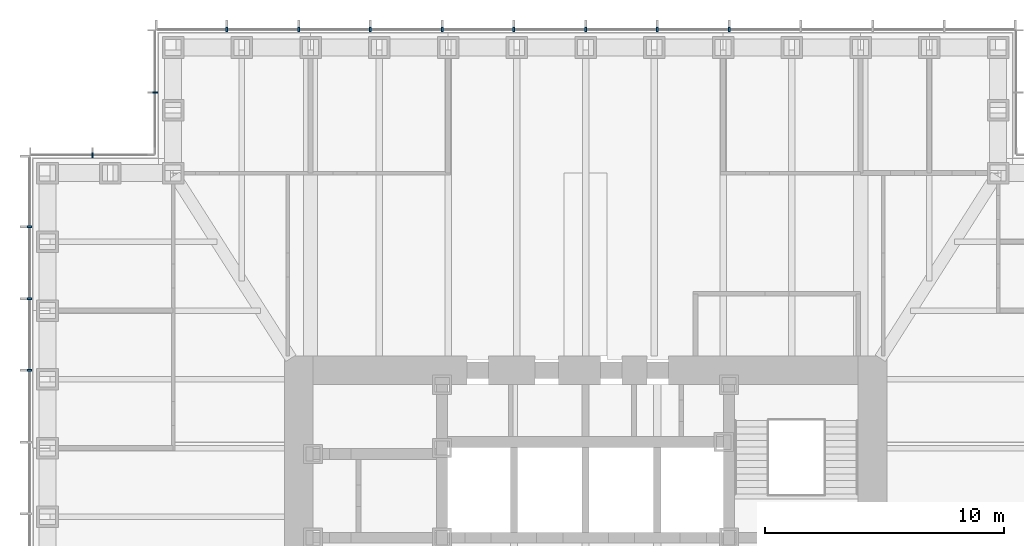
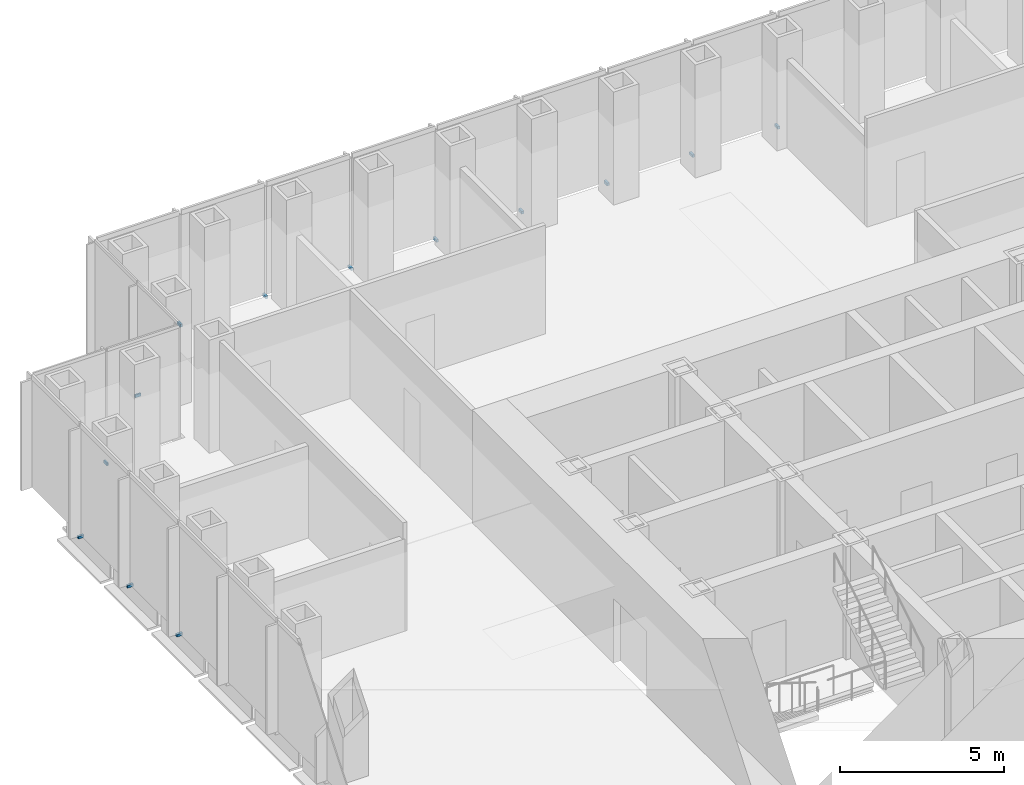
# One storey, part 15 of 17: 13 discrete accessories.
"""IFC4 building model written with IfcOpenShell, lengths in metres."""

from ifc_helpers import new_model, si_unit, direction, frame, origin, origin_2d, place, context, subcontext, project, spatial, rectangle, extrude, element, save


model = new_model("IFC4")

# Units and contexts
model_context = context("Model", 3, precision=1e-05, world=origin(), true_north=direction((0.0, 1.0)))
body_context = subcontext(model_context, "Body", "Model", "MODEL_VIEW")
ifc_project = project(units=[si_unit("LENGTHUNIT", "METRE"), si_unit("AREAUNIT", "SQUARE_METRE"), si_unit("VOLUMEUNIT", "CUBIC_METRE"), si_unit("PLANEANGLEUNIT", "RADIAN"), si_unit("MASSUNIT", "GRAM", prefix="KILO")], contexts=[model_context])

# Site, building, storey
site_placement = place(None, origin())
site = spatial("IfcSite", under=ifc_project, at=site_placement, CompositionType="ELEMENT")
building_placement = place(site_placement, origin())
building = spatial("IfcBuilding", under=site, at=building_placement, Name="Daluyong Arena Tower", CompositionType="ELEMENT")
storey_placement = place(building_placement, frame((0.0, 0.0, 150.10009765625)))
storey = spatial("IfcBuildingStorey", under=building, at=storey_placement, Name="L33", CompositionType="ELEMENT", Elevation=150.10009765625)

# Discrete accessories
for number, where, z_axis, x_axis, name in (
    (1, (62.0, 103.25, -0.10009765625), (0.0, 0.0, 1.0), (-1.0, 0.0, 0.0), "curtain wall L33 N anchor bracket 5"),
    (2, (59.0, 103.25, -0.10009765625), (0.0, 0.0, 1.0), (-1.0, 0.0, 0.0), "curtain wall L33 N anchor bracket 6"),
    (3, (56.0, 103.25, -0.10009765625), (0.0, 0.0, 1.0), (-1.0, 0.0, 0.0), "curtain wall L33 N anchor bracket 7"),
    (4, (53.0, 103.25, -0.10009765625), (0.0, 0.0, 1.0), (-1.0, 0.0, 0.0), "curtain wall L33 N anchor bracket 8"),
    (5, (50.0, 103.25, -0.10009765625), (0.0, 0.0, 1.0), (-1.0, 0.0, 0.0), "curtain wall L33 N anchor bracket 9"),
    (6, (47.0, 103.25, -0.10009765625), (0.0, 0.0, 1.0), (-1.0, 0.0, 0.0), "curtain wall L33 N anchor bracket 10"),
    (7, (44.0, 103.25, -0.10009765625), (0.0, 0.0, 1.0), (-1.0, 0.0, 0.0), "curtain wall L33 N anchor bracket 11"),
    (8, (41.0, 103.25, -0.10009765625), (0.0, 0.0, 1.0), (-1.0, 0.0, 0.0), "curtain wall L33 N anchor bracket 12"),
):
    element("IfcDiscreteAccessory", number, at=place(storey_placement, frame(where, z_axis=z_axis, x_axis=x_axis)), inside=storey, Name=name, PredefinedType="BRACKET", context=body_context, shape_type="SweptSolid", body=[
        extrude(rectangle(XDim=0.080078125, YDim=0.199951171875, at=origin_2d()), origin(), (0.0, 0.0, 1.0), 0.10009765625),
    ])
for number, where, z_axis, x_axis, name in (
    (9, (38.0, 100.625, -0.10009765625), (0.0, 0.0, 1.0), (0.0, -1.0, 0.0), "curtain wall L33 NW-W anchor bracket 2"),
    (10, (35.375, 98.0, -0.10009765625), (0.0, 0.0, 1.0), (-1.0, 0.0, 0.0), "curtain wall L33 NW-N anchor bracket 2"),
):
    element("IfcDiscreteAccessory", number, at=place(storey_placement, frame(where, z_axis=z_axis, x_axis=x_axis)), inside=storey, Name=name, PredefinedType="BRACKET", context=body_context, shape_type="SweptSolid", body=[
        extrude(rectangle(XDim=0.06005859375, YDim=0.199951171875, at=origin_2d()), origin(), (0.0, 0.0, 1.0), 0.10009765625),
    ])
for number, where, z_axis, x_axis, name in (
    (11, (32.75, 95.0, -0.10009765625), (0.0, 0.0, 1.0), (0.0, -1.0, 0.0), "curtain wall L33 W anchor bracket 2"),
    (12, (32.75, 92.0, -0.10009765625), (0.0, 0.0, 1.0), (0.0, -1.0, 0.0), "curtain wall L33 W anchor bracket 3"),
    (13, (32.75, 89.0, -0.10009765625), (0.0, 0.0, 1.0), (0.0, -1.0, 0.0), "curtain wall L33 W anchor bracket 4"),
):
    element("IfcDiscreteAccessory", number, at=place(storey_placement, frame(where, z_axis=z_axis, x_axis=x_axis)), inside=storey, Name=name, PredefinedType="BRACKET", context=body_context, shape_type="SweptSolid", body=[
        extrude(rectangle(XDim=0.080078125, YDim=0.199951171875, at=origin_2d()), origin(), (0.0, 0.0, 1.0), 0.10009765625),
    ])

save(model, "model.ifc")
